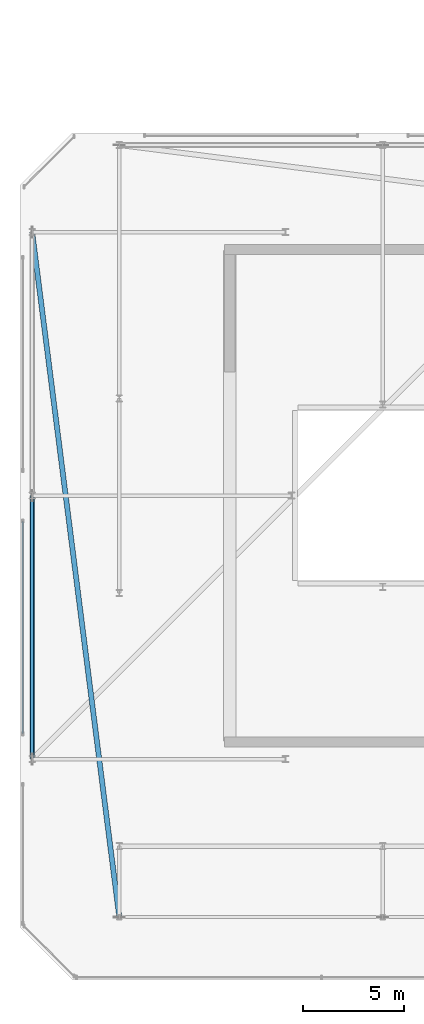
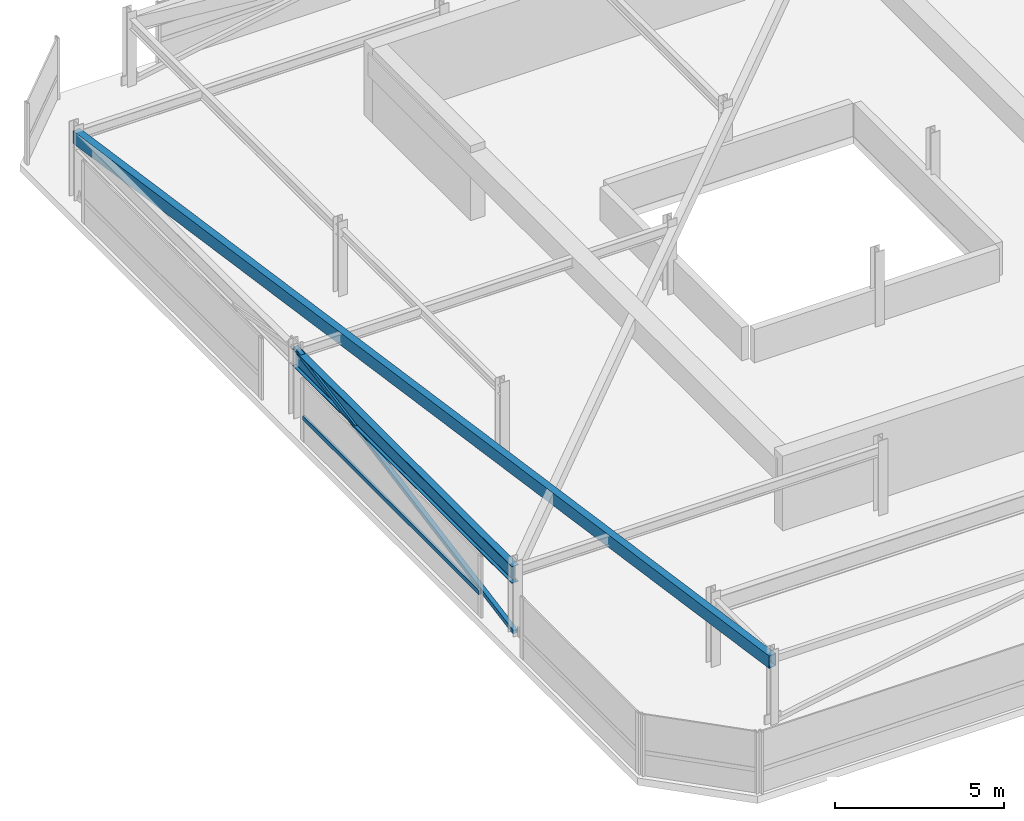
# One storey, part 13 of 44: 2 beams, 2 members, 1 element without a shape of its own.
"""IFC4 building model written with IfcOpenShell, lengths in metres."""

from ifc_helpers import new_model, si_unit, direction, frame, origin, origin_2d, place, context, subcontext, project, spatial, hollow_rectangle, i_section, extrude, material, material_profile, profile_set, type_object, element, aggregate, save


model = new_model("IFC4")

# Units and contexts
model_context = context("Model", 3, precision=1e-05, world=origin(), true_north=direction((0.0, 1.0)))
body_context = subcontext(model_context, "Body", "Model", "MODEL_VIEW")
ifc_project = project(units=[si_unit("LENGTHUNIT", "METRE"), si_unit("AREAUNIT", "SQUARE_METRE"), si_unit("VOLUMEUNIT", "CUBIC_METRE"), si_unit("PLANEANGLEUNIT", "RADIAN"), si_unit("MASSUNIT", "GRAM", prefix="KILO")], contexts=[model_context])

# Site, building, storey
site_placement = place(None, origin())
site = spatial("IfcSite", under=ifc_project, at=site_placement, CompositionType="ELEMENT")
building_placement = place(site_placement, origin())
building = spatial("IfcBuilding", under=site, at=building_placement, Name="Thornwick Lancets Civic Towers", CompositionType="ELEMENT")
storey_placement = place(building_placement, frame((0.0, 0.0, 294.89990234375)))
storey = spatial("IfcBuildingStorey", under=building, at=storey_placement, Name="C06", CompositionType="ELEMENT", Elevation=294.89990234375)

# Beams
ifc_material_1 = material(Name="Steel S355JR", Category="steel")
ifc_material_profile_1 = material_profile(ifc_material_1, i_section(OverallWidth=0.230224609375, OverallDepth=0.6171875, WebThickness=0.01318359375, FlangeThickness=0.022216796875, FilletRadius=0.0126953125, at=origin_2d()), Name="UKB 610x229x140")
ifc_profile_set_1 = profile_set([ifc_material_profile_1], Name="Steel S355JR")
beam_type_1 = type_object("IfcBeamType", Name="BM_GIRD_610_140", PredefinedType="BEAM", material=ifc_profile_set_1)
beam_1_placement = place(storey_placement, frame((8.199951171875, 14.0, 2.131591796875), z_axis=(0.0, 1.0, 0.0), x_axis=(-1.0, 0.0, 0.0)))
element("IfcBeam", 1, at=beam_1_placement, inside=storey, type_object=beam_type_1, Name="BM-SPINE-C06-A-9-10", PredefinedType="BEAM", context=body_context, shape_type="SweptSolid", body=[
    extrude(i_section(OverallWidth=0.230224609375, OverallDepth=0.6171875, WebThickness=0.01318359375, FlangeThickness=0.022216796875, FilletRadius=0.0126953125, at=origin_2d()), origin(), (0.0, 0.0, 1.0), 13.0),
])
ifc_material_profile_2 = material_profile(ifc_material_1, hollow_rectangle(XDim=0.25, YDim=0.449951171875, WallThickness=0.01611328125, at=origin_2d()), Name="RHS 450x250x16")
ifc_profile_set_2 = profile_set([ifc_material_profile_2], Name="Steel S355JR")
beam_type_2 = type_object("IfcBeamType", Name="BM_RING_RHS450", PredefinedType="BEAM", material=ifc_profile_set_2)
beam_2_placement = place(storey_placement, frame((8.199951171875, 40.0, 2.215087890625), z_axis=(0.126202998662, -0.992004437051, 0.0), x_axis=(0.992004437051, 0.126202998662, 0.0)))
element("IfcBeam", 2, at=beam_2_placement, inside=storey, type_object=beam_type_2, Name="BM-CHAMF-C06-A-C3", PredefinedType="BEAM", context=body_context, shape_type="SweptSolid", body=[
    extrude(hollow_rectangle(XDim=0.25, YDim=0.449951171875, WallThickness=0.01611328125, at=origin_2d()), origin(), (0.0, 0.0, 1.0), 34.072509765625),
])

# Curtain wall, member
ifc_material_2 = material(Name="Crown ring acoustic-louvre and glazing screen wall", Category="glass")
curtain_wall_type = type_object("IfcCurtainWallType", Name="CW_SYS_07", PredefinedType="NOTDEFINED", material=ifc_material_2)
curtain_wall_placement = place(storey_placement, origin())
curtain_wall = element("IfcCurtainWall", 3, at=curtain_wall_placement, inside=storey, type_object=curtain_wall_type, Name="C06 Curtain Wall CW-C06-A-E6-S2", PredefinedType="NOTDEFINED")
ifc_material_3 = material(Name="Thermally broken bronze aluminium S355", Category="steel")
ifc_material_profile_3 = material_profile(ifc_material_3, hollow_rectangle(XDim=0.074951171875, YDim=0.14990234375, WallThickness=0.0048828125, at=origin_2d()), Name="RHS 150x75x5")
ifc_profile_set_3 = profile_set([ifc_material_profile_3], Name="Thermally broken bronze aluminium S355")
member_type_1 = type_object("IfcMemberType", Name="CW_TRN_150", PredefinedType="USERDEFINED", material=ifc_profile_set_3)
member_1_placement = place(storey_placement, frame((7.7353515625, 25.72998046875, 0.85009765625), z_axis=(0.0, -1.0, 0.0), x_axis=(1.0, 0.0, 0.0)))
member_1 = element("IfcMember", 4, at=member_1_placement, type_object=member_type_1, Name="CW-C06-A-E6-S2 Transom 0", ObjectType="TRANSOM", PredefinedType="USERDEFINED", context=body_context, shape_type="SweptSolid", body=[
    extrude(hollow_rectangle(XDim=0.074951171875, YDim=0.14990234375, WallThickness=0.0048828125, at=origin_2d()), origin(), (0.0, 0.0, 1.0), 10.4599609375),
])
aggregate(curtain_wall, [member_1])

# Member
ifc_material_profile_4 = material_profile(ifc_material_1, hollow_rectangle(XDim=0.14990234375, YDim=0.14990234375, WallThickness=0.010009765625, at=origin_2d()), Name="SHS 150x150x10")
ifc_profile_set_4 = profile_set([ifc_material_profile_4], Name="Steel S355JR")
member_type_2 = type_object("IfcMemberType", Name="MEM_CROWN_SHS150", PredefinedType="BRACE", material=ifc_profile_set_4)
member_2_placement = place(storey_placement, frame((8.199951171875, 14.0, 0.050048828125), z_axis=(0.0, 0.983515136313, 0.180825818519), x_axis=(-1.0, 0.0, 0.0)))
element("IfcMember", 5, at=member_2_placement, inside=storey, type_object=member_type_2, Name="C06 Crown Ring Lancet Rib A-S3-L", PredefinedType="BRACE", context=body_context, shape_type="SweptSolid", body=[
    extrude(hollow_rectangle(XDim=0.14990234375, YDim=0.14990234375, WallThickness=0.010009765625, at=origin_2d()), origin(), (0.0, 0.0, 1.0), 13.2177734375),
])

save(model, "model.ifc")
